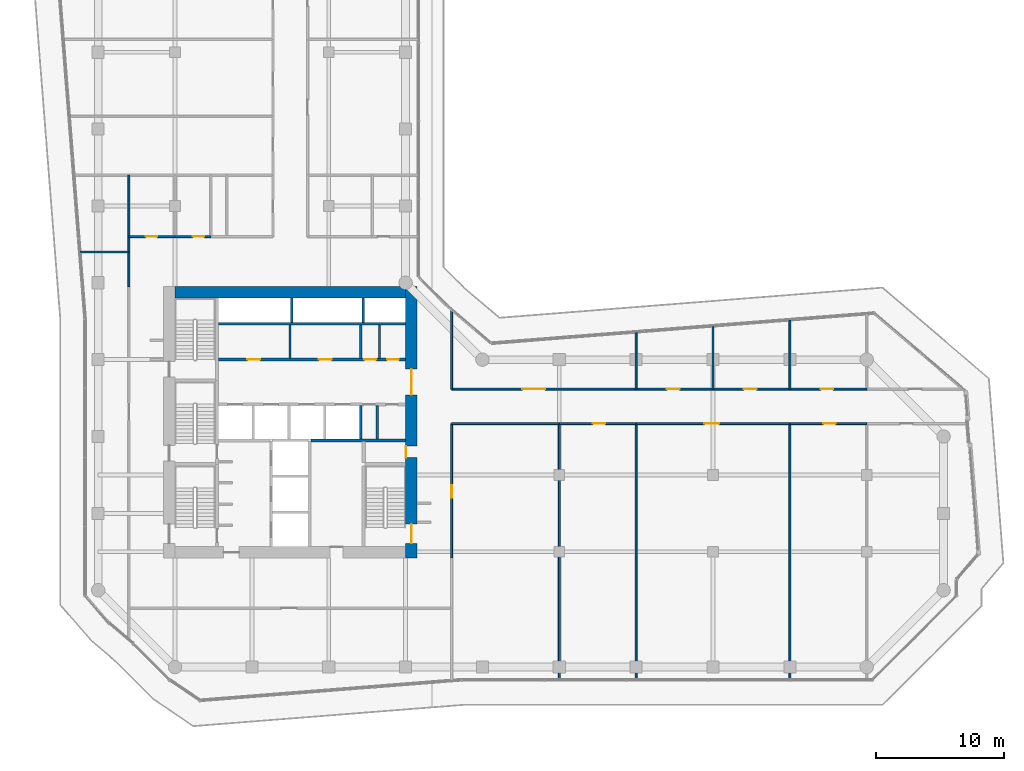
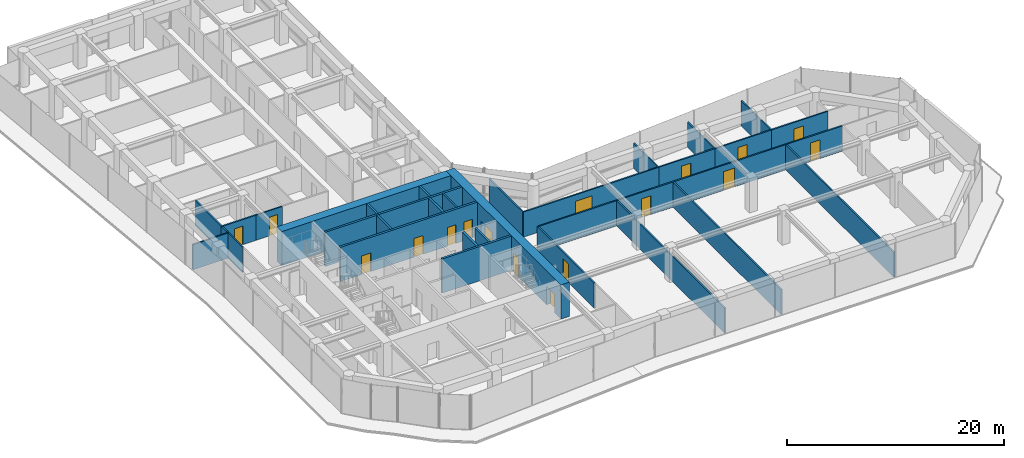
# One storey, part 23 of 28: 33 walls, 17 doors, 17 openings.
"""IFC4 building model written with IfcOpenShell, lengths in metres."""

from ifc_helpers import new_model, si_unit, direction, frame, frame_2d, origin, place, context, subcontext, project, spatial, rectangle, extrude, material, layer, layer_set, type_object, element, fill, save


model = new_model("IFC4")

# Units and contexts
model_context = context("Model", 3, precision=1e-05, world=origin(), true_north=direction((0.0, 1.0)))
body_context = subcontext(model_context, "Body", "Model", "MODEL_VIEW")
ifc_project = project(units=[si_unit("LENGTHUNIT", "METRE"), si_unit("AREAUNIT", "SQUARE_METRE"), si_unit("VOLUMEUNIT", "CUBIC_METRE"), si_unit("PLANEANGLEUNIT", "RADIAN"), si_unit("MASSUNIT", "GRAM", prefix="KILO")], contexts=[model_context])

# Site, building, storey
site_placement = place(None, origin())
site = spatial("IfcSite", under=ifc_project, at=site_placement, CompositionType="ELEMENT")
building_placement = place(site_placement, origin())
building = spatial("IfcBuilding", under=site, at=building_placement, Name="Welwitschia Terrace Campus", CompositionType="ELEMENT")
storey_placement = place(building_placement, frame((0.0, 0.0, 71.0)))
storey = spatial("IfcBuildingStorey", under=building, at=storey_placement, Name="L16", CompositionType="ELEMENT", Elevation=71.0)

# Walls
ifc_material_1 = material(Name="Concrete C32/40", Category="concrete")
ifc_layer_1 = layer(ifc_material_1, 0.175048828125)
ifc_layer_set_1 = layer_set([ifc_layer_1], Name="Concrete C32/40")
wall_type_1 = type_object("IfcWallType", Name="Core partition 175 Concrete C32/40", PredefinedType="PARTITIONING", material=ifc_layer_set_1)
for number, where, z_axis, x_axis, name in (
    (1, (14.97509765625, 20.10009765625, 0.0), (0.0, 0.0, 1.0), (0.0, 1.0, 0.0), "Core partition"),
    (2, (21.7900390625, 13.800048828125, 0.0), (0.0, 0.0, 1.0), (0.0, 1.0, 0.0), "Core partition"),
    (3, (21.9599609375, 20.10009765625, 0.0), (0.0, 0.0, 1.0), (0.0, 1.0, 0.0), "Core partition"),
):
    element("IfcWall", number, at=place(storey_placement, frame(where, z_axis=z_axis, x_axis=x_axis)), inside=storey, type_object=wall_type_1, Name=name, PredefinedType="PARTITIONING", context=body_context, shape_type="SweptSolid", body=[
        extrude(rectangle(XDim=2.599853515625, YDim=0.175048828125, at=frame_2d((1.2998046875, 0.0))), origin(), (0.0, 0.0, 1.0), 3.85009765625),
    ])
ifc_material_2 = material(Name="Concrete C32/40", Category="concrete")
ifc_layer_2 = layer(ifc_material_2, 0.22509765625)
ifc_layer_set_2 = layer_set([ifc_layer_2], Name="Concrete C32/40")
wall_type_2 = type_object("IfcWallType", Name="Core partition 225 Concrete C32/40", PredefinedType="PARTITIONING", material=ifc_layer_set_2)
wall_1_placement = place(storey_placement, frame((16.60009765625, 13.699951171875, 0.0), z_axis=(0.0, 0.0, 1.0), x_axis=(1.0, 0.0, 0.0)))
element("IfcWall", 4, at=wall_1_placement, inside=storey, type_object=wall_type_2, Name="Shaft wall", PredefinedType="PARTITIONING", context=body_context, shape_type="SweptSolid", body=[
    extrude(rectangle(XDim=7.39990234375, YDim=0.22509765625, at=frame_2d((3.699951171875, 0.0))), origin(), (0.0, 0.0, 1.0), 3.85009765625),
])

# Wall, openings, doors
wall_2_placement = place(storey_placement, frame((24.0, 20.0, 0.0), z_axis=(0.0, 0.0, 1.0), x_axis=(-1.0, 0.0, 0.0)))
wall_2 = element("IfcWall", 5, at=wall_2_placement, inside=storey, type_object=wall_type_2, Name="Core partition", PredefinedType="PARTITIONING", context=body_context, shape_type="SweptSolid", body=[
    extrude(rectangle(XDim=14.60009765625, YDim=0.22509765625, at=frame_2d((7.300048828125, 0.0))), origin(), (0.0, 0.0, 1.0), 3.85009765625),
])
opening_1_placement = place(wall_2_placement, frame((11.35009765625, 0.0, 0.0)))
opening_1 = element("IfcOpeningElement", 6, at=opening_1_placement, cuts=wall_2, Name="Opening DR10", PredefinedType="OPENING", context=body_context, shape_type="SweptSolid", body=[
    extrude(rectangle(XDim=1.0, YDim=2.10009765625, at=frame_2d((0.5, 1.050048828125))), frame((0.0, 0.12255859375, 0.0), z_axis=(0.0, -1.0, 0.0), x_axis=(1.0, 0.0, 0.0)), (0.0, 0.0, 1.0), 0.2451171875),
])
opening_2_placement = place(wall_2_placement, frame((5.77490234375, 0.0, 0.0)))
opening_2 = element("IfcOpeningElement", 7, at=opening_2_placement, cuts=wall_2, Name="Opening DR10", PredefinedType="OPENING", context=body_context, shape_type="SweptSolid", body=[
    extrude(rectangle(XDim=1.0, YDim=2.10009765625, at=frame_2d((0.5, 1.050048828125))), frame((0.0, 0.12255859375, 0.0), z_axis=(0.0, -1.0, 0.0), x_axis=(1.0, 0.0, 0.0)), (0.0, 0.0, 1.0), 0.2451171875),
])
opening_3_placement = place(wall_2_placement, frame((2.3076171875, 0.0, 0.0)))
opening_3 = element("IfcOpeningElement", 8, at=opening_3_placement, cuts=wall_2, Name="Opening DR09", PredefinedType="OPENING", context=body_context, shape_type="SweptSolid", body=[
    extrude(rectangle(XDim=0.89990234375, YDim=2.10009765625, at=frame_2d((0.449951171875, 1.050048828125))), frame((0.0, 0.12255859375, 0.0), z_axis=(0.0, -1.0, 0.0), x_axis=(1.0, 0.0, 0.0)), (0.0, 0.0, 1.0), 0.2451171875),
])
opening_4_placement = place(wall_2_placement, frame((0.532470703125, 0.0, 0.0)))
opening_4 = element("IfcOpeningElement", 9, at=opening_4_placement, cuts=wall_2, Name="Opening DR09", PredefinedType="OPENING", context=body_context, shape_type="SweptSolid", body=[
    extrude(rectangle(XDim=0.89990234375, YDim=2.10009765625, at=frame_2d((0.449951171875, 1.050048828125))), frame((0.0, 0.12255859375, 0.0), z_axis=(0.0, -1.0, 0.0), x_axis=(1.0, 0.0, 0.0)), (0.0, 0.0, 1.0), 0.2451171875),
])
ifc_material_3 = material(Name="Steel S275", Category="steel")
door_type_1 = type_object("IfcDoorType", Name="Core door DR09", OperationType="SINGLE_SWING_LEFT", PredefinedType="DOOR", material=ifc_material_3)
door_1_placement = place(opening_3_placement, origin())
door_1 = element("IfcDoor", 10, at=door_1_placement, inside=storey, type_object=door_type_1, Name="Door EH1-D", OperationType="SINGLE_SWING_LEFT", OverallHeight=2.10009765625, OverallWidth=0.89990234375, PredefinedType="DOOR", context=body_context, shape_type="SweptSolid", body=[
    extrude(rectangle(XDim=0.89990234375, YDim=2.10009765625, at=frame_2d((0.449951171875, 1.050048828125))), frame((0.0, 0.02490234375, 0.0), z_axis=(0.0, -1.0, 0.0), x_axis=(1.0, 0.0, 0.0)), (0.0, 0.0, 1.0), 0.050048828125),
])
fill(opening_3, door_1)
door_2_placement = place(opening_4_placement, origin())
door_2 = element("IfcDoor", 11, at=door_2_placement, inside=storey, type_object=door_type_1, Name="Door EH2-D", OperationType="SINGLE_SWING_LEFT", OverallHeight=2.10009765625, OverallWidth=0.89990234375, PredefinedType="DOOR", context=body_context, shape_type="SweptSolid", body=[
    extrude(rectangle(XDim=0.89990234375, YDim=2.10009765625, at=frame_2d((0.449951171875, 1.050048828125))), frame((0.0, 0.02490234375, 0.0), z_axis=(0.0, -1.0, 0.0), x_axis=(1.0, 0.0, 0.0)), (0.0, 0.0, 1.0), 0.050048828125),
])
fill(opening_4, door_2)
ifc_material_4 = material(Name="Steel S275", Category="steel")
door_type_2 = type_object("IfcDoorType", Name="Core door DR10", OperationType="SINGLE_SWING_LEFT", PredefinedType="DOOR", material=ifc_material_4)
door_3_placement = place(opening_1_placement, origin())
door_3 = element("IfcDoor", 12, at=door_3_placement, inside=storey, type_object=door_type_2, Name="Door BAYH1-D", OperationType="SINGLE_SWING_RIGHT", OverallHeight=2.10009765625, OverallWidth=1.0, PredefinedType="DOOR", context=body_context, shape_type="SweptSolid", body=[
    extrude(rectangle(XDim=1.0, YDim=2.10009765625, at=frame_2d((0.5, 1.050048828125))), frame((0.0, 0.02490234375, 0.0), z_axis=(0.0, -1.0, 0.0), x_axis=(1.0, 0.0, 0.0)), (0.0, 0.0, 1.0), 0.050048828125),
])
fill(opening_1, door_3)
door_4_placement = place(opening_2_placement, origin())
door_4 = element("IfcDoor", 13, at=door_4_placement, inside=storey, type_object=door_type_2, Name="Door BAYH2-D", OperationType="SINGLE_SWING_LEFT", OverallHeight=2.10009765625, OverallWidth=1.0, PredefinedType="DOOR", context=body_context, shape_type="SweptSolid", body=[
    extrude(rectangle(XDim=1.0, YDim=2.10009765625, at=frame_2d((0.5, 1.050048828125))), frame((0.0, 0.02490234375, 0.0), z_axis=(0.0, -1.0, 0.0), x_axis=(1.0, 0.0, 0.0)), (0.0, 0.0, 1.0), 0.050048828125),
])
fill(opening_2, door_4)

# Walls
wall_3_placement = place(storey_placement, frame((9.39990234375, 22.800048828125, 0.0), z_axis=(0.0, 0.0, 1.0), x_axis=(1.0, 0.0, 0.0)))
element("IfcWall", 14, at=wall_3_placement, inside=storey, type_object=wall_type_2, Name="Shaft wall", PredefinedType="PARTITIONING", context=body_context, shape_type="SweptSolid", body=[
    extrude(rectangle(XDim=14.60009765625, YDim=0.22509765625, at=frame_2d((7.300048828125, 0.0))), origin(), (0.0, 0.0, 1.0), 3.85009765625),
])
for number, where, z_axis, x_axis, name in (
    (15, (20.5, 13.800048828125, 0.0), (0.0, 0.0, 1.0), (0.0, 1.0, 0.0), "Shaft wall"),
    (16, (20.5, 20.10009765625, 0.0), (0.0, 0.0, 1.0), (0.0, 1.0, 0.0), "Core partition"),
):
    element("IfcWall", number, at=place(storey_placement, frame(where, z_axis=z_axis, x_axis=x_axis)), inside=storey, type_object=wall_type_2, Name=name, PredefinedType="PARTITIONING", context=body_context, shape_type="SweptSolid", body=[
        extrude(rectangle(XDim=2.599853515625, YDim=0.22509765625, at=frame_2d((1.2998046875, 0.0))), origin(), (0.0, 0.0, 1.0), 3.85009765625),
    ])
ifc_material_5 = material(Name="Concrete C50/60", Category="concrete")
ifc_layer_3 = layer(ifc_material_5, 0.199951171875)
ifc_layer_set_3 = layer_set([ifc_layer_3], Name="Concrete C50/60")
wall_type_3 = type_object("IfcWallType", Name="Core wall 200 Concrete C50/60", PredefinedType="SHEAR", material=ifc_layer_set_3)
for number, where, z_axis, x_axis, name in (
    (17, (15.10009765625, 22.89990234375, 0.0), (0.0, 0.0, 1.0), (0.0, 1.0, 0.0), "Core wall"),
    (18, (20.699951171875, 22.89990234375, 0.0), (0.0, 0.0, 1.0), (0.0, 1.0, 0.0), "Core wall"),
):
    element("IfcWall", number, at=place(storey_placement, frame(where, z_axis=z_axis, x_axis=x_axis)), inside=storey, type_object=wall_type_3, Name=name, PredefinedType="SHEAR", context=body_context, shape_type="SweptSolid", body=[
        extrude(rectangle(XDim=1.900146484375, YDim=0.199951171875, at=frame_2d((0.9501953125, 0.0))), origin(), (0.0, 0.0, 1.0), 3.85009765625),
    ])

# Wall, openings, doors
ifc_material_6 = material(Name="Concrete C70/85", Category="concrete")
ifc_layer_4 = layer(ifc_material_6, 0.89990234375)
ifc_layer_set_4 = layer_set([ifc_layer_4], Name="Concrete C70/85")
wall_type_4 = type_object("IfcWallType", Name="Core wall 900 Concrete C70/85", PredefinedType="SHEAR", material=ifc_layer_set_4)
wall_4_placement = place(storey_placement, frame((24.449951171875, 25.699951171875, 0.0), z_axis=(0.0, 0.0, 1.0), x_axis=(0.0, -1.0, 0.0)))
wall_4 = element("IfcWall", 19, at=wall_4_placement, inside=storey, type_object=wall_type_4, Name="Core outer wall", PredefinedType="SHEAR", context=body_context, shape_type="SweptSolid", body=[
    extrude(rectangle(XDim=21.199951171875, YDim=0.89990234375, at=frame_2d((10.60009765625, 0.0))), origin(), (0.0, 0.0, 1.0), 3.85009765625),
])
opening_5_placement = place(wall_4_placement, frame((18.550048828125, 0.0, 0.0)))
opening_5 = element("IfcOpeningElement", 20, at=opening_5_placement, cuts=wall_4, Name="Opening DS15", PredefinedType="OPENING", context=body_context, shape_type="SweptSolid", body=[
    extrude(rectangle(XDim=1.5, YDim=2.10009765625, at=frame_2d((0.75, 1.050048828125))), frame((0.0, 0.4599609375, 0.0), z_axis=(0.0, -1.0, 0.0), x_axis=(1.0, 0.0, 0.0)), (0.0, 0.0, 1.0), 0.919921875),
])
opening_6_placement = place(wall_4_placement, frame((12.449951171875, 0.0, 0.0)))
opening_6 = element("IfcOpeningElement", 21, at=opening_6_placement, cuts=wall_4, Name="Opening DR09", PredefinedType="OPENING", context=body_context, shape_type="SweptSolid", body=[
    extrude(rectangle(XDim=0.89990234375, YDim=2.10009765625, at=frame_2d((0.449951171875, 1.050048828125))), frame((0.0, 0.4599609375, 0.0), z_axis=(0.0, -1.0, 0.0), x_axis=(1.0, 0.0, 0.0)), (0.0, 0.0, 1.0), 0.919921875),
])
opening_7_placement = place(wall_4_placement, frame((6.449951171875, 0.0, 0.0)))
opening_7 = element("IfcOpeningElement", 22, at=opening_7_placement, cuts=wall_4, Name="Opening DL20", PredefinedType="OPENING", context=body_context, shape_type="SweptSolid", body=[
    extrude(rectangle(XDim=2.0, YDim=2.10009765625, at=frame_2d((1.0, 1.050048828125))), frame((0.0, 0.4599609375, 0.0), z_axis=(0.0, -1.0, 0.0), x_axis=(1.0, 0.0, 0.0)), (0.0, 0.0, 1.0), 0.919921875),
])
ifc_material_7 = material(Name="Steel S275", Category="steel")
door_type_3 = type_object("IfcDoorType", Name="Core door DL20", OperationType="DOUBLE_DOOR_SINGLE_SWING", PredefinedType="DOOR", material=ifc_material_7)
door_5_placement = place(opening_7_placement, origin())
door_5 = element("IfcDoor", 23, at=door_5_placement, inside=storey, type_object=door_type_3, Name="Door LOBBY-out", OperationType="DOUBLE_DOOR_SINGLE_SWING", OverallHeight=2.10009765625, OverallWidth=2.0, PredefinedType="DOOR", context=body_context, shape_type="SweptSolid", body=[
    extrude(rectangle(XDim=2.0, YDim=2.10009765625, at=frame_2d((1.0, 1.050048828125))), frame((0.0, 0.02490234375, 0.0), z_axis=(0.0, -1.0, 0.0), x_axis=(1.0, 0.0, 0.0)), (0.0, 0.0, 1.0), 0.050048828125),
])
fill(opening_7, door_5)
door_6_placement = place(opening_6_placement, origin())
door_6 = element("IfcDoor", 24, at=door_6_placement, inside=storey, type_object=door_type_1, Name="Door F1B-out", OperationType="SINGLE_SWING_RIGHT", OverallHeight=2.10009765625, OverallWidth=0.89990234375, PredefinedType="DOOR", context=body_context, shape_type="SweptSolid", body=[
    extrude(rectangle(XDim=0.89990234375, YDim=2.10009765625, at=frame_2d((0.449951171875, 1.050048828125))), frame((0.0, -0.39013671875, 0.0), z_axis=(0.0, -1.0, 0.0), x_axis=(1.0, 0.0, 0.0)), (0.0, 0.0, 1.0), 0.050048828125),
])
fill(opening_6, door_6)
ifc_material_8 = material(Name="Steel S275", Category="steel")
door_type_4 = type_object("IfcDoorType", Name="Core door DS15", OperationType="DOUBLE_DOOR_SINGLE_SWING", PredefinedType="DOOR", material=ifc_material_8)
door_7_placement = place(opening_5_placement, origin())
door_7 = element("IfcDoor", 25, at=door_7_placement, inside=storey, type_object=door_type_4, Name="Door S2-out", OperationType="DOUBLE_DOOR_SINGLE_SWING", OverallHeight=2.10009765625, OverallWidth=1.5, PredefinedType="DOOR", context=body_context, shape_type="SweptSolid", body=[
    extrude(rectangle(XDim=1.5, YDim=2.10009765625, at=frame_2d((0.75, 1.050048828125))), frame((0.0, 0.02490234375, 0.0), z_axis=(0.0, -1.0, 0.0), x_axis=(1.0, 0.0, 0.0)), (0.0, 0.0, 1.0), 0.050048828125),
])
fill(opening_5, door_7)

# Walls
wall_5_placement = place(storey_placement, frame((6.0, 25.25, 0.0), z_axis=(0.0, 0.0, 1.0), x_axis=(1.0, 0.0, 0.0)))
element("IfcWall", 26, at=wall_5_placement, inside=storey, type_object=wall_type_4, Name="Core outer wall", PredefinedType="SHEAR", context=body_context, shape_type="SweptSolid", body=[
    extrude(rectangle(XDim=18.0, YDim=0.89990234375, at=frame_2d((9.0, 0.0))), origin(), (0.0, 0.0, 1.0), 3.85009765625),
])
ifc_material_9 = material(Name="Gypsum board on steel studs", Category="steel")
ifc_layer_5 = layer(ifc_material_9, 0.14990234375)
ifc_layer_set_5 = layer_set([ifc_layer_5], Name="Gypsum board on steel studs")
wall_type_5 = type_object("IfcWallType", Name="Corridor partition 150 EI 30", PredefinedType="PARTITIONING", material=ifc_layer_set_5)
wall_6_placement = place(storey_placement, frame((-1.419921875, 28.39990234375, 0.0), z_axis=(0.0, 0.0, 1.0), x_axis=(1.0, 0.0, 0.0)))
element("IfcWall", 27, at=wall_6_placement, inside=storey, type_object=wall_type_5, Name="Partition", PredefinedType="PARTITIONING", context=body_context, shape_type="SweptSolid", body=[
    extrude(rectangle(XDim=3.81982421875, YDim=0.14990234375, at=frame_2d((1.909912109375, 0.0))), origin(), (0.0, 0.0, 1.0), 2.830078125),
])
wall_7_placement = place(storey_placement, frame((2.39990234375, 25.699951171875, 0.0), z_axis=(0.0, 0.0, 1.0), x_axis=(0.0, 1.0, 0.0)))
element("IfcWall", 28, at=wall_7_placement, inside=storey, type_object=wall_type_5, Name="Partition", PredefinedType="PARTITIONING", context=body_context, shape_type="SweptSolid", body=[
    extrude(rectangle(XDim=3.900146484375, YDim=0.14990234375, at=frame_2d((1.9501953125, 0.0))), origin(), (0.0, 0.0, 1.0), 2.830078125),
])
wall_8_placement = place(storey_placement, frame((2.39990234375, 29.60009765625, 0.0), z_axis=(0.0, 0.0, 1.0), x_axis=(0.0, 1.0, 0.0)))
element("IfcWall", 29, at=wall_8_placement, inside=storey, type_object=wall_type_5, Name="Partition", PredefinedType="PARTITIONING", context=body_context, shape_type="SweptSolid", body=[
    extrude(rectangle(XDim=4.7998046875, YDim=0.14990234375, at=frame_2d((2.39990234375, 0.0))), origin(), (0.0, 0.0, 1.0), 2.830078125),
])

# Wall, opening, door
wall_9_placement = place(storey_placement, frame((2.39990234375, 29.60009765625, 0.0), z_axis=(0.0, 0.0, 1.0), x_axis=(1.0, 0.0, 0.0)))
wall_9 = element("IfcWall", 30, at=wall_9_placement, inside=storey, type_object=wall_type_5, Name="Partition", PredefinedType="PARTITIONING", context=body_context, shape_type="SweptSolid", body=[
    extrude(rectangle(XDim=3.60009765625, YDim=0.14990234375, at=frame_2d((1.800048828125, 0.0))), origin(), (0.0, 0.0, 1.0), 2.830078125),
])
opening_8_placement = place(wall_9_placement, frame((1.300048828125, 0.0, 0.0)))
opening_8 = element("IfcOpeningElement", 31, at=opening_8_placement, cuts=wall_9, Name="Opening DI09", PredefinedType="OPENING", context=body_context, shape_type="SweptSolid", body=[
    extrude(rectangle(XDim=0.89990234375, YDim=2.10009765625, at=frame_2d((0.449951171875, 1.050048828125))), frame((0.0, 0.0849609375, 0.0), z_axis=(0.0, -1.0, 0.0), x_axis=(1.0, 0.0, 0.0)), (0.0, 0.0, 1.0), 0.169921875),
])
ifc_material_10 = material(Name="Timber veneered door", Category="wood")
door_type_5 = type_object("IfcDoorType", Name="Interior door DI09", OperationType="NOTDEFINED", PredefinedType="DOOR", material=ifc_material_10)
door_8_placement = place(opening_8_placement, origin())
door_8 = element("IfcDoor", 32, at=door_8_placement, inside=storey, type_object=door_type_5, Name="Door L16 360", OperationType="SINGLE_SWING_LEFT", OverallHeight=2.10009765625, OverallWidth=0.89990234375, PredefinedType="DOOR", context=body_context, shape_type="SweptSolid", body=[
    extrude(rectangle(XDim=0.89990234375, YDim=2.10009765625, at=frame_2d((0.449951171875, 1.050048828125))), frame((0.0, 0.02490234375, 0.0), z_axis=(0.0, -1.0, 0.0), x_axis=(1.0, 0.0, 0.0)), (0.0, 0.0, 1.0), 0.050048828125),
])
fill(opening_8, door_8)

wall_10_placement = place(storey_placement, frame((6.0, 29.60009765625, 0.0), z_axis=(0.0, 0.0, 1.0), x_axis=(1.0, 0.0, 0.0)))
wall_10 = element("IfcWall", 33, at=wall_10_placement, inside=storey, type_object=wall_type_5, Name="Partition", PredefinedType="PARTITIONING", context=body_context, shape_type="SweptSolid", body=[
    extrude(rectangle(XDim=2.800048828125, YDim=0.14990234375, at=frame_2d((1.39990234375, 0.0))), origin(), (0.0, 0.0, 1.0), 2.830078125),
])
opening_9_placement = place(wall_10_placement, frame((1.39990234375, 0.0, 0.0)))
opening_9 = element("IfcOpeningElement", 34, at=opening_9_placement, cuts=wall_10, Name="Opening DI09", PredefinedType="OPENING", context=body_context, shape_type="SweptSolid", body=[
    extrude(rectangle(XDim=0.89990234375, YDim=2.10009765625, at=frame_2d((0.449951171875, 1.050048828125))), frame((0.0, 0.0849609375, 0.0), z_axis=(0.0, -1.0, 0.0), x_axis=(1.0, 0.0, 0.0)), (0.0, 0.0, 1.0), 0.169921875),
])
door_9_placement = place(opening_9_placement, origin())
door_9 = element("IfcDoor", 35, at=door_9_placement, inside=storey, type_object=door_type_5, Name="Door L16 361", OperationType="SINGLE_SWING_RIGHT", OverallHeight=2.10009765625, OverallWidth=0.89990234375, PredefinedType="DOOR", context=body_context, shape_type="SweptSolid", body=[
    extrude(rectangle(XDim=0.89990234375, YDim=2.10009765625, at=frame_2d((0.449951171875, 1.050048828125))), frame((0.0, 0.02490234375, 0.0), z_axis=(0.0, -1.0, 0.0), x_axis=(1.0, 0.0, 0.0)), (0.0, 0.0, 1.0), 0.050048828125),
])
fill(opening_9, door_9)

wall_11_placement = place(storey_placement, frame((27.60009765625, 15.0, 0.0), z_axis=(0.0, 0.0, 1.0), x_axis=(0.0, -1.0, 0.0)))
wall_11 = element("IfcWall", 36, at=wall_11_placement, inside=storey, type_object=wall_type_5, Name="Partition", PredefinedType="PARTITIONING", context=body_context, shape_type="SweptSolid", body=[
    extrude(rectangle(XDim=10.5, YDim=0.14990234375, at=frame_2d((5.25, 0.0))), origin(), (0.0, 0.0, 1.0), 2.830078125),
])
opening_10_placement = place(wall_11_placement, frame((4.800048828125, 0.0, 0.0)))
opening_10 = element("IfcOpeningElement", 37, at=opening_10_placement, cuts=wall_11, Name="Opening DI10", PredefinedType="OPENING", context=body_context, shape_type="SweptSolid", body=[
    extrude(rectangle(XDim=1.0, YDim=2.10009765625, at=frame_2d((0.5, 1.050048828125))), frame((0.0, 0.0849609375, 0.0), z_axis=(0.0, -1.0, 0.0), x_axis=(1.0, 0.0, 0.0)), (0.0, 0.0, 1.0), 0.169921875),
])
ifc_material_11 = material(Name="Timber veneered door", Category="wood")
door_type_6 = type_object("IfcDoorType", Name="Interior door DI10", OperationType="NOTDEFINED", PredefinedType="DOOR", material=ifc_material_11)
door_10_placement = place(opening_10_placement, origin())
door_10 = element("IfcDoor", 38, at=door_10_placement, inside=storey, type_object=door_type_6, Name="Door L16 374", OperationType="SINGLE_SWING_LEFT", OverallHeight=2.10009765625, OverallWidth=1.0, PredefinedType="DOOR", context=body_context, shape_type="SweptSolid", body=[
    extrude(rectangle(XDim=1.0, YDim=2.10009765625, at=frame_2d((0.5, 1.050048828125))), frame((0.0, 0.02490234375, 0.0), z_axis=(0.0, -1.0, 0.0), x_axis=(1.0, 0.0, 0.0)), (0.0, 0.0, 1.0), 0.050048828125),
])
fill(opening_10, door_10)

# Walls
wall_12_placement = place(storey_placement, frame((27.60009765625, 15.0, 0.0), z_axis=(0.0, 0.0, 1.0), x_axis=(1.0, 0.0, 0.0)))
element("IfcWall", 39, at=wall_12_placement, inside=storey, type_object=wall_type_5, Name="Partition", PredefinedType="PARTITIONING", context=body_context, shape_type="SweptSolid", body=[
    extrude(rectangle(XDim=8.39990234375, YDim=0.14990234375, at=frame_2d((4.199951171875, 0.0))), origin(), (0.0, 0.0, 1.0), 2.830078125),
])
wall_13_placement = place(storey_placement, frame((27.60009765625, 17.699951171875, 0.0), z_axis=(0.0, 0.0, 1.0), x_axis=(0.0, 1.0, 0.0)))
element("IfcWall", 40, at=wall_13_placement, inside=storey, type_object=wall_type_5, Name="Partition", PredefinedType="PARTITIONING", context=body_context, shape_type="SweptSolid", body=[
    extrude(rectangle(XDim=6.179931640625, YDim=0.14990234375, at=frame_2d((3.08984375, 0.0))), origin(), (0.0, 0.0, 1.0), 2.830078125),
])
for number, where, z_axis, x_axis, name in (
    (41, (36.0, -5.010009765625, 0.0), (0.0, 0.0, 1.0), (0.0, 1.0, 0.0), "Partition"),
    (42, (42.0, -5.010009765625, 0.0), (0.0, 0.0, 1.0), (0.0, 1.0, 0.0), "Partition"),
):
    element("IfcWall", number, at=place(storey_placement, frame(where, z_axis=z_axis, x_axis=x_axis)), inside=storey, type_object=wall_type_5, Name=name, PredefinedType="PARTITIONING", context=body_context, shape_type="SweptSolid", body=[
        extrude(rectangle(XDim=20.010009765625, YDim=0.14990234375, at=frame_2d((10.0048828125, 0.0))), origin(), (0.0, 0.0, 1.0), 2.830078125),
    ])

# Wall, opening, door
wall_14_placement = place(storey_placement, frame((42.0, 15.0, 0.0), z_axis=(0.0, 0.0, 1.0), x_axis=(-1.0, 0.0, 0.0)))
wall_14 = element("IfcWall", 43, at=wall_14_placement, inside=storey, type_object=wall_type_5, Name="Partition", PredefinedType="PARTITIONING", context=body_context, shape_type="SweptSolid", body=[
    extrude(rectangle(XDim=6.0, YDim=0.14990234375, at=frame_2d((3.0, 0.0))), origin(), (0.0, 0.0, 1.0), 2.830078125),
])
opening_11_placement = place(wall_14_placement, frame((2.39990234375, 0.0, 0.0)))
opening_11 = element("IfcOpeningElement", 44, at=opening_11_placement, cuts=wall_14, Name="Opening DI10", PredefinedType="OPENING", context=body_context, shape_type="SweptSolid", body=[
    extrude(rectangle(XDim=1.0, YDim=2.10009765625, at=frame_2d((0.5, 1.050048828125))), frame((0.0, 0.0849609375, 0.0), z_axis=(0.0, -1.0, 0.0), x_axis=(1.0, 0.0, 0.0)), (0.0, 0.0, 1.0), 0.169921875),
])
door_11_placement = place(opening_11_placement, origin())
door_11 = element("IfcDoor", 45, at=door_11_placement, inside=storey, type_object=door_type_6, Name="Door L16 375", OperationType="SINGLE_SWING_RIGHT", OverallHeight=2.10009765625, OverallWidth=1.0, PredefinedType="DOOR", context=body_context, shape_type="SweptSolid", body=[
    extrude(rectangle(XDim=1.0, YDim=2.10009765625, at=frame_2d((0.5, 1.050048828125))), frame((0.0, 0.02490234375, 0.0), z_axis=(0.0, -1.0, 0.0), x_axis=(1.0, 0.0, 0.0)), (0.0, 0.0, 1.0), 0.050048828125),
])
fill(opening_11, door_11)

wall_15_placement = place(storey_placement, frame((42.0, 17.699951171875, 0.0), z_axis=(0.0, 0.0, 1.0), x_axis=(-1.0, 0.0, 0.0)))
wall_15 = element("IfcWall", 46, at=wall_15_placement, inside=storey, type_object=wall_type_5, Name="Partition", PredefinedType="PARTITIONING", context=body_context, shape_type="SweptSolid", body=[
    extrude(rectangle(XDim=14.39990234375, YDim=0.14990234375, at=frame_2d((7.199951171875, 0.0))), origin(), (0.0, 0.0, 1.0), 2.830078125),
])
opening_12_placement = place(wall_15_placement, frame((7.10009765625, 0.0, 0.0)))
opening_12 = element("IfcOpeningElement", 47, at=opening_12_placement, cuts=wall_15, Name="Opening DI18", PredefinedType="OPENING", context=body_context, shape_type="SweptSolid", body=[
    extrude(rectangle(XDim=1.800048828125, YDim=2.10009765625, at=frame_2d((0.89990234375, 1.050048828125))), frame((0.0, 0.0849609375, 0.0), z_axis=(0.0, -1.0, 0.0), x_axis=(1.0, 0.0, 0.0)), (0.0, 0.0, 1.0), 0.169921875),
])
ifc_material_12 = material(Name="Timber veneered door", Category="wood")
door_type_7 = type_object("IfcDoorType", Name="Interior door DI18", OperationType="DOUBLE_DOOR_SINGLE_SWING", PredefinedType="DOOR", material=ifc_material_12)
door_12_placement = place(opening_12_placement, origin())
door_12 = element("IfcDoor", 48, at=door_12_placement, inside=storey, type_object=door_type_7, Name="Door L16 376", OperationType="SINGLE_SWING_LEFT", OverallHeight=2.10009765625, OverallWidth=1.800048828125, PredefinedType="DOOR", context=body_context, shape_type="SweptSolid", body=[
    extrude(rectangle(XDim=1.800048828125, YDim=2.10009765625, at=frame_2d((0.89990234375, 1.050048828125))), frame((0.0, 0.02490234375, 0.0), z_axis=(0.0, -1.0, 0.0), x_axis=(1.0, 0.0, 0.0)), (0.0, 0.0, 1.0), 0.050048828125),
])
fill(opening_12, door_12)

# Wall
wall_16_placement = place(storey_placement, frame((42.0, 17.699951171875, 0.0), z_axis=(0.0, 0.0, 1.0), x_axis=(0.0, 1.0, 0.0)))
element("IfcWall", 49, at=wall_16_placement, inside=storey, type_object=wall_type_5, Name="Partition", PredefinedType="PARTITIONING", context=body_context, shape_type="SweptSolid", body=[
    extrude(rectangle(XDim=4.4599609375, YDim=0.14990234375, at=frame_2d((2.22998046875, 0.0))), origin(), (0.0, 0.0, 1.0), 2.830078125),
])

# Wall, opening, door
wall_17_placement = place(storey_placement, frame((42.0, 17.699951171875, 0.0), z_axis=(0.0, 0.0, 1.0), x_axis=(1.0, 0.0, 0.0)))
wall_17 = element("IfcWall", 50, at=wall_17_placement, inside=storey, type_object=wall_type_5, Name="Partition", PredefinedType="PARTITIONING", context=body_context, shape_type="SweptSolid", body=[
    extrude(rectangle(XDim=6.0, YDim=0.14990234375, at=frame_2d((3.0, 0.0))), origin(), (0.0, 0.0, 1.0), 2.830078125),
])
opening_13_placement = place(wall_17_placement, frame((2.39990234375, 0.0, 0.0)))
opening_13 = element("IfcOpeningElement", 51, at=opening_13_placement, cuts=wall_17, Name="Opening DI10", PredefinedType="OPENING", context=body_context, shape_type="SweptSolid", body=[
    extrude(rectangle(XDim=1.0, YDim=2.10009765625, at=frame_2d((0.5, 1.050048828125))), frame((0.0, 0.0849609375, 0.0), z_axis=(0.0, -1.0, 0.0), x_axis=(1.0, 0.0, 0.0)), (0.0, 0.0, 1.0), 0.169921875),
])
door_13_placement = place(opening_13_placement, origin())
door_13 = element("IfcDoor", 52, at=door_13_placement, inside=storey, type_object=door_type_6, Name="Door L16 377", OperationType="SINGLE_SWING_RIGHT", OverallHeight=2.10009765625, OverallWidth=1.0, PredefinedType="DOOR", context=body_context, shape_type="SweptSolid", body=[
    extrude(rectangle(XDim=1.0, YDim=2.10009765625, at=frame_2d((0.5, 1.050048828125))), frame((0.0, 0.02490234375, 0.0), z_axis=(0.0, -1.0, 0.0), x_axis=(1.0, 0.0, 0.0)), (0.0, 0.0, 1.0), 0.050048828125),
])
fill(opening_13, door_13)

# Wall
wall_18_placement = place(storey_placement, frame((48.0, 17.699951171875, 0.0), z_axis=(0.0, 0.0, 1.0), x_axis=(0.0, 1.0, 0.0)))
element("IfcWall", 53, at=wall_18_placement, inside=storey, type_object=wall_type_5, Name="Partition", PredefinedType="PARTITIONING", context=body_context, shape_type="SweptSolid", body=[
    extrude(rectangle(XDim=4.929931640625, YDim=0.14990234375, at=frame_2d((2.46484375, 0.0))), origin(), (0.0, 0.0, 1.0), 2.830078125),
])

# Wall, opening, door
wall_19_placement = place(storey_placement, frame((48.0, 17.699951171875, 0.0), z_axis=(0.0, 0.0, 1.0), x_axis=(1.0, 0.0, 0.0)))
wall_19 = element("IfcWall", 54, at=wall_19_placement, inside=storey, type_object=wall_type_5, Name="Partition", PredefinedType="PARTITIONING", context=body_context, shape_type="SweptSolid", body=[
    extrude(rectangle(XDim=6.0, YDim=0.14990234375, at=frame_2d((3.0, 0.0))), origin(), (0.0, 0.0, 1.0), 2.830078125),
])
opening_14_placement = place(wall_19_placement, frame((2.39990234375, 0.0, 0.0)))
opening_14 = element("IfcOpeningElement", 55, at=opening_14_placement, cuts=wall_19, Name="Opening DI10", PredefinedType="OPENING", context=body_context, shape_type="SweptSolid", body=[
    extrude(rectangle(XDim=1.0, YDim=2.10009765625, at=frame_2d((0.5, 1.050048828125))), frame((0.0, 0.0849609375, 0.0), z_axis=(0.0, -1.0, 0.0), x_axis=(1.0, 0.0, 0.0)), (0.0, 0.0, 1.0), 0.169921875),
])
door_14_placement = place(opening_14_placement, origin())
door_14 = element("IfcDoor", 56, at=door_14_placement, inside=storey, type_object=door_type_6, Name="Door L16 378", OperationType="SINGLE_SWING_LEFT", OverallHeight=2.10009765625, OverallWidth=1.0, PredefinedType="DOOR", context=body_context, shape_type="SweptSolid", body=[
    extrude(rectangle(XDim=1.0, YDim=2.10009765625, at=frame_2d((0.5, 1.050048828125))), frame((0.0, 0.02490234375, 0.0), z_axis=(0.0, -1.0, 0.0), x_axis=(1.0, 0.0, 0.0)), (0.0, 0.0, 1.0), 0.050048828125),
])
fill(opening_14, door_14)

# Wall
wall_20_placement = place(storey_placement, frame((54.0, -4.992919921875, 0.0), z_axis=(0.0, 0.0, 1.0), x_axis=(0.0, 1.0, 0.0)))
element("IfcWall", 57, at=wall_20_placement, inside=storey, type_object=wall_type_5, Name="Partition", PredefinedType="PARTITIONING", context=body_context, shape_type="SweptSolid", body=[
    extrude(rectangle(XDim=19.992919921875, YDim=0.14990234375, at=frame_2d((9.99658203125, 0.0))), origin(), (0.0, 0.0, 1.0), 2.830078125),
])

# Wall, opening, door
wall_21_placement = place(storey_placement, frame((54.0, 15.0, 0.0), z_axis=(0.0, 0.0, 1.0), x_axis=(-1.0, 0.0, 0.0)))
wall_21 = element("IfcWall", 58, at=wall_21_placement, inside=storey, type_object=wall_type_5, Name="Partition", PredefinedType="PARTITIONING", context=body_context, shape_type="SweptSolid", body=[
    extrude(rectangle(XDim=12.0, YDim=0.14990234375, at=frame_2d((6.0, 0.0))), origin(), (0.0, 0.0, 1.0), 2.830078125),
])
opening_15_placement = place(wall_21_placement, frame((5.5, 0.0, 0.0)))
opening_15 = element("IfcOpeningElement", 59, at=opening_15_placement, cuts=wall_21, Name="Opening DI12", PredefinedType="OPENING", context=body_context, shape_type="SweptSolid", body=[
    extrude(rectangle(XDim=1.199951171875, YDim=2.10009765625, at=frame_2d((0.60009765625, 1.050048828125))), frame((0.0, 0.0849609375, 0.0), z_axis=(0.0, -1.0, 0.0), x_axis=(1.0, 0.0, 0.0)), (0.0, 0.0, 1.0), 0.169921875),
])
ifc_material_13 = material(Name="Timber veneered door", Category="wood")
door_type_8 = type_object("IfcDoorType", Name="Interior door DI12", OperationType="NOTDEFINED", PredefinedType="DOOR", material=ifc_material_13)
door_15_placement = place(opening_15_placement, origin())
door_15 = element("IfcDoor", 60, at=door_15_placement, inside=storey, type_object=door_type_8, Name="Door L16 379", OperationType="SINGLE_SWING_RIGHT", OverallHeight=2.10009765625, OverallWidth=1.199951171875, PredefinedType="DOOR", context=body_context, shape_type="SweptSolid", body=[
    extrude(rectangle(XDim=1.199951171875, YDim=2.10009765625, at=frame_2d((0.60009765625, 1.050048828125))), frame((0.0, 0.02490234375, 0.0), z_axis=(0.0, -1.0, 0.0), x_axis=(1.0, 0.0, 0.0)), (0.0, 0.0, 1.0), 0.050048828125),
])
fill(opening_15, door_15)

# Wall
wall_22_placement = place(storey_placement, frame((54.0, 17.699951171875, 0.0), z_axis=(0.0, 0.0, 1.0), x_axis=(0.0, 1.0, 0.0)))
element("IfcWall", 61, at=wall_22_placement, inside=storey, type_object=wall_type_5, Name="Partition", PredefinedType="PARTITIONING", context=body_context, shape_type="SweptSolid", body=[
    extrude(rectangle(XDim=5.400146484375, YDim=0.14990234375, at=frame_2d((2.7001953125, 0.0))), origin(), (0.0, 0.0, 1.0), 2.830078125),
])

# Wall, opening, door
wall_23_placement = place(storey_placement, frame((54.0, 17.699951171875, 0.0), z_axis=(0.0, 0.0, 1.0), x_axis=(1.0, 0.0, 0.0)))
wall_23 = element("IfcWall", 62, at=wall_23_placement, inside=storey, type_object=wall_type_5, Name="Partition", PredefinedType="PARTITIONING", context=body_context, shape_type="SweptSolid", body=[
    extrude(rectangle(XDim=6.0, YDim=0.14990234375, at=frame_2d((3.0, 0.0))), origin(), (0.0, 0.0, 1.0), 2.830078125),
])
opening_16_placement = place(wall_23_placement, frame((2.39990234375, 0.0, 0.0)))
opening_16 = element("IfcOpeningElement", 63, at=opening_16_placement, cuts=wall_23, Name="Opening DI10", PredefinedType="OPENING", context=body_context, shape_type="SweptSolid", body=[
    extrude(rectangle(XDim=1.0, YDim=2.10009765625, at=frame_2d((0.5, 1.050048828125))), frame((0.0, 0.0849609375, 0.0), z_axis=(0.0, -1.0, 0.0), x_axis=(1.0, 0.0, 0.0)), (0.0, 0.0, 1.0), 0.169921875),
])
door_16_placement = place(opening_16_placement, origin())
door_16 = element("IfcDoor", 64, at=door_16_placement, inside=storey, type_object=door_type_6, Name="Door L16 380", OperationType="SINGLE_SWING_LEFT", OverallHeight=2.10009765625, OverallWidth=1.0, PredefinedType="DOOR", context=body_context, shape_type="SweptSolid", body=[
    extrude(rectangle(XDim=1.0, YDim=2.10009765625, at=frame_2d((0.5, 1.050048828125))), frame((0.0, 0.02490234375, 0.0), z_axis=(0.0, -1.0, 0.0), x_axis=(1.0, 0.0, 0.0)), (0.0, 0.0, 1.0), 0.050048828125),
])
fill(opening_16, door_16)

wall_24_placement = place(storey_placement, frame((60.0, 15.0, 0.0), z_axis=(0.0, 0.0, 1.0), x_axis=(-1.0, 0.0, 0.0)))
wall_24 = element("IfcWall", 65, at=wall_24_placement, inside=storey, type_object=wall_type_5, Name="Partition", PredefinedType="PARTITIONING", context=body_context, shape_type="SweptSolid", body=[
    extrude(rectangle(XDim=6.0, YDim=0.14990234375, at=frame_2d((3.0, 0.0))), origin(), (0.0, 0.0, 1.0), 2.830078125),
])
opening_17_placement = place(wall_24_placement, frame((2.39990234375, 0.0, 0.0)))
opening_17 = element("IfcOpeningElement", 66, at=opening_17_placement, cuts=wall_24, Name="Opening DI10", PredefinedType="OPENING", context=body_context, shape_type="SweptSolid", body=[
    extrude(rectangle(XDim=1.0, YDim=2.10009765625, at=frame_2d((0.5, 1.050048828125))), frame((0.0, 0.0849609375, 0.0), z_axis=(0.0, -1.0, 0.0), x_axis=(1.0, 0.0, 0.0)), (0.0, 0.0, 1.0), 0.169921875),
])
door_17_placement = place(opening_17_placement, origin())
door_17 = element("IfcDoor", 67, at=door_17_placement, inside=storey, type_object=door_type_6, Name="Door L16 381", OperationType="SINGLE_SWING_RIGHT", OverallHeight=2.10009765625, OverallWidth=1.0, PredefinedType="DOOR", context=body_context, shape_type="SweptSolid", body=[
    extrude(rectangle(XDim=1.0, YDim=2.10009765625, at=frame_2d((0.5, 1.050048828125))), frame((0.0, 0.02490234375, 0.0), z_axis=(0.0, -1.0, 0.0), x_axis=(1.0, 0.0, 0.0)), (0.0, 0.0, 1.0), 0.050048828125),
])
fill(opening_17, door_17)

save(model, "model.ifc")
